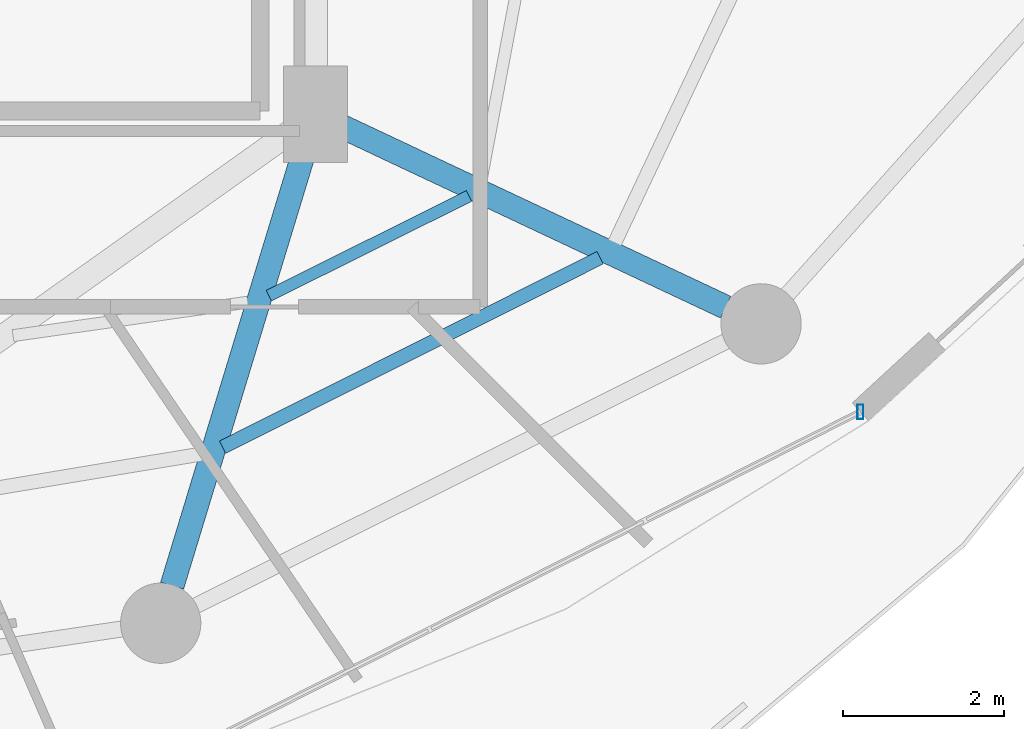
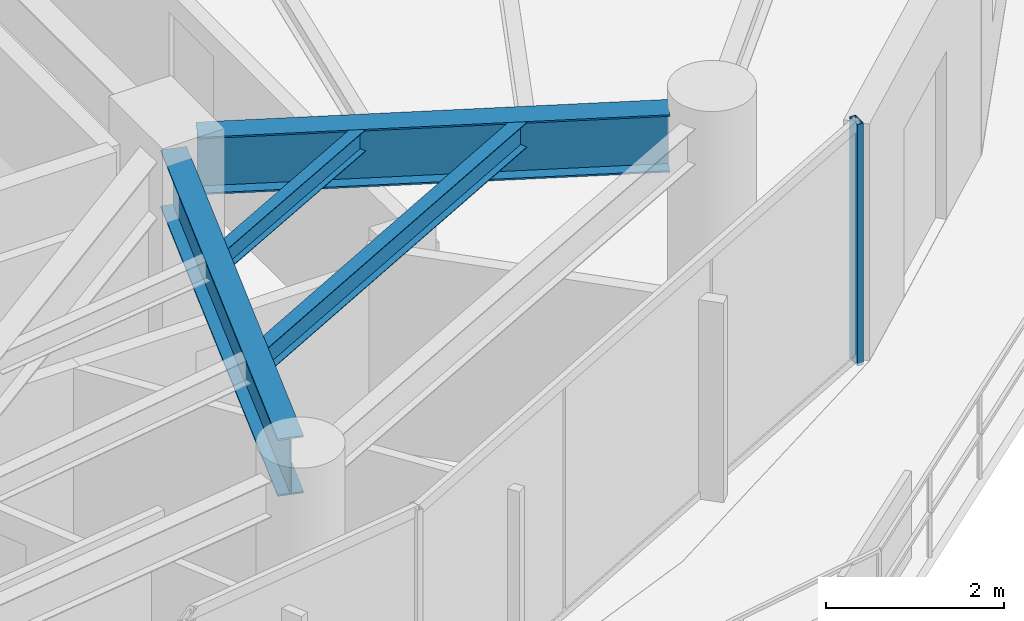
# One storey, part 12 of 31: 4 beams, 1 member, 1 element without a shape of its own.
"""IFC4 building model written with IfcOpenShell, lengths in metres."""

from ifc_helpers import new_model, si_unit, direction, frame, origin, origin_2d, place, context, subcontext, project, spatial, hollow_rectangle, i_section, extrude, material, material_profile, profile_set, type_object, element, aggregate, save


model = new_model("IFC4")

# Units and contexts
model_context = context("Model", 3, precision=1e-05, world=origin(), true_north=direction((0.0, 1.0)))
body_context = subcontext(model_context, "Body", "Model", "MODEL_VIEW")
ifc_project = project(units=[si_unit("LENGTHUNIT", "METRE"), si_unit("AREAUNIT", "SQUARE_METRE"), si_unit("VOLUMEUNIT", "CUBIC_METRE"), si_unit("PLANEANGLEUNIT", "RADIAN"), si_unit("MASSUNIT", "GRAM", prefix="KILO")], contexts=[model_context])

# Site, building, storey
site_placement = place(None, origin())
site = spatial("IfcSite", under=ifc_project, at=site_placement, CompositionType="ELEMENT")
building_placement = place(site_placement, origin())
building = spatial("IfcBuilding", under=site, at=building_placement, Name="Vorneva Point Tower", CompositionType="ELEMENT")
storey_placement = place(building_placement, frame((0.0, 0.0, 132.60009765625)))
storey = spatial("IfcBuildingStorey", under=building, at=storey_placement, Name="L35", CompositionType="ELEMENT", Elevation=132.60009765625)

# Beams
ifc_material_1 = material(Name="Steel S355", Category="steel")
ifc_material_profile_1 = material_profile(ifc_material_1, i_section(OverallWidth=0.300048828125, OverallDepth=0.7880859375, WebThickness=0.014404296875, FlangeThickness=0.02197265625, at=origin_2d()), Name="80Sh1")
ifc_profile_set_1 = profile_set([ifc_material_profile_1], Name="Steel S355")
beam_type_1 = type_object("IfcBeamType", Name="BM-GRD-80Sh1", PredefinedType="USERDEFINED", material=ifc_profile_set_1)
beam_1_placement = place(storey_placement, frame((46.962890625, 10.576171875, 2.845947265625), z_axis=(0.291049382966, 0.95670803105, 0.0), x_axis=(-0.95670803105, 0.291049382966, 0.0)))
element("IfcBeam", 1, at=beam_1_placement, inside=storey, type_object=beam_type_1, Name="L35 Radial Primary Girder 14", ObjectType="GIRDER", PredefinedType="USERDEFINED", context=body_context, shape_type="SweptSolid", body=[
    extrude(i_section(OverallWidth=0.300048828125, OverallDepth=0.7880859375, WebThickness=0.014404296875, FlangeThickness=0.02197265625, at=origin_2d()), origin(), (0.0, 0.0, 1.0), 5.799560546875),
])
beam_2_placement = place(storey_placement, frame((53.857421875, 14.045654296875, 2.845947265625), z_axis=(-0.904761331435, 0.425918927896, 0.0), x_axis=(-0.425918927896, -0.904761331435, 0.0)))
element("IfcBeam", 2, at=beam_2_placement, inside=storey, type_object=beam_type_1, Name="L35 Radial Primary Girder 15", ObjectType="GIRDER", PredefinedType="USERDEFINED", context=body_context, shape_type="SweptSolid", body=[
    extrude(i_section(OverallWidth=0.300048828125, OverallDepth=0.7880859375, WebThickness=0.014404296875, FlangeThickness=0.02197265625, at=origin_2d()), origin(), (0.0, 0.0, 1.0), 5.304931640625),
])
ifc_material_profile_2 = material_profile(ifc_material_1, i_section(OverallWidth=0.14892578125, OverallDepth=0.298095703125, WebThickness=0.005615234375, FlangeThickness=0.008056640625, at=origin_2d()), Name="30B1")
ifc_profile_set_2 = profile_set([ifc_material_profile_2], Name="Steel S355")
beam_type_2 = type_object("IfcBeamType", Name="BM-JST-30B1", PredefinedType="JOIST", material=ifc_profile_set_2)
beam_3_placement = place(storey_placement, frame((48.166748046875, 14.188720703125, 3.0908203125), z_axis=(0.895266564534, 0.445530895031, 0.0), x_axis=(-0.445530895031, 0.895266564534, 0.0)))
element("IfcBeam", 3, at=beam_3_placement, inside=storey, type_object=beam_type_2, Name="L35 Secondary Floor Beam 2.14", PredefinedType="JOIST", context=body_context, shape_type="SweptSolid", body=[
    extrude(i_section(OverallWidth=0.14892578125, OverallDepth=0.298095703125, WebThickness=0.005615234375, FlangeThickness=0.008056640625, at=origin_2d()), origin(), (0.0, 0.0, 1.0), 2.787109375),
])
ifc_material_profile_3 = material_profile(ifc_material_1, i_section(OverallWidth=0.174072265625, OverallDepth=0.345947265625, WebThickness=0.006103515625, FlangeThickness=0.009033203125, at=origin_2d()), Name="35B1")
ifc_profile_set_3 = profile_set([ifc_material_profile_3], Name="Steel S355")
beam_type_3 = type_object("IfcBeamType", Name="BM-SEC-35B1", PredefinedType="BEAM", material=ifc_profile_set_3)
beam_4_placement = place(storey_placement, frame((47.5927734375, 12.302490234375, 3.06689453125), z_axis=(0.893776430112, 0.44851275676, 0.0), x_axis=(-0.44851275676, 0.893776430112, 0.0)))
element("IfcBeam", 4, at=beam_4_placement, inside=storey, type_object=beam_type_3, Name="L35 Secondary Floor Beam 1.14", PredefinedType="BEAM", context=body_context, shape_type="SweptSolid", body=[
    extrude(i_section(OverallWidth=0.174072265625, OverallDepth=0.345947265625, WebThickness=0.006103515625, FlangeThickness=0.009033203125, at=origin_2d()), origin(), (0.0, 0.0, 1.0), 5.260009765625),
])

# Curtain wall, member
ifc_material_2 = material(Name="Pale anodised aluminium", Category="aluminium")
curtain_wall_type = type_object("IfcCurtainWallType", Name="CW-RES-SYS", PredefinedType="NOTDEFINED", material=ifc_material_2)
curtain_wall_placement = place(storey_placement, origin())
curtain_wall = element("IfcCurtainWall", 5, at=curtain_wall_placement, inside=storey, type_object=curtain_wall_type, Name="L35 Unitised Curtain Wall CW-L35-R04", PredefinedType="NOTDEFINED")
ifc_material_profile_4 = material_profile(ifc_material_2, hollow_rectangle(XDim=0.074951171875, YDim=0.179931640625, WallThickness=0.00390625, at=origin_2d()), Name="AL-MUL 180x75x4")
ifc_profile_set_4 = profile_set([ifc_material_profile_4], Name="Pale anodised aluminium")
member_type = type_object("IfcMemberType", Name="CW-MUL-180", PredefinedType="MULLION", material=ifc_profile_set_4)
member_placement = place(storey_placement, frame((55.5361328125, 12.74169921875, -0.0400390625), z_axis=(0.0, 0.0, 1.0), x_axis=(1.0, 0.0, 0.0)))
member = element("IfcMember", 6, at=member_placement, type_object=member_type, Name="CW-L35-R04 Mullion 05", PredefinedType="MULLION", context=body_context, shape_type="SweptSolid", body=[
    extrude(hollow_rectangle(XDim=0.074951171875, YDim=0.179931640625, WallThickness=0.00390625, at=origin_2d()), origin(), (0.0, 0.0, 1.0), 3.31005859375),
])
aggregate(curtain_wall, [member])

save(model, "model.ifc")
